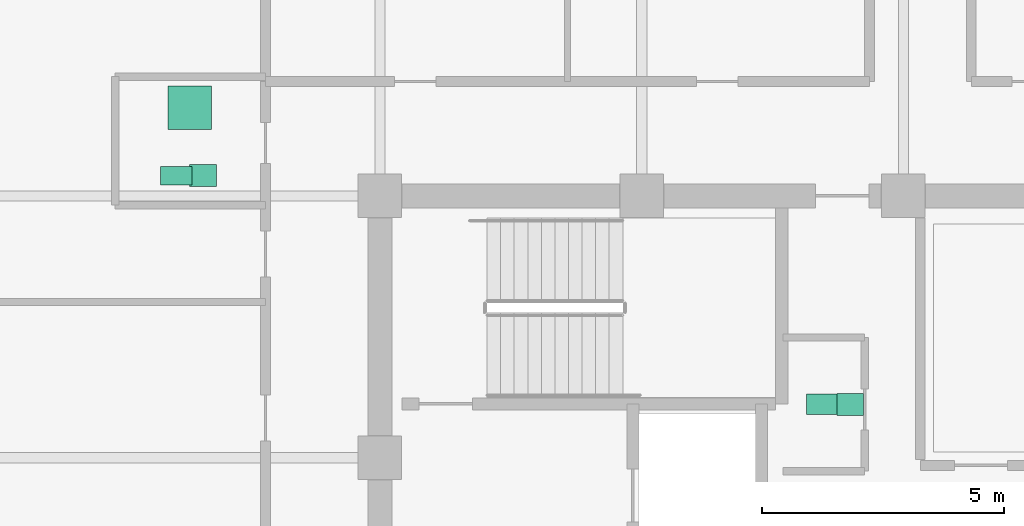
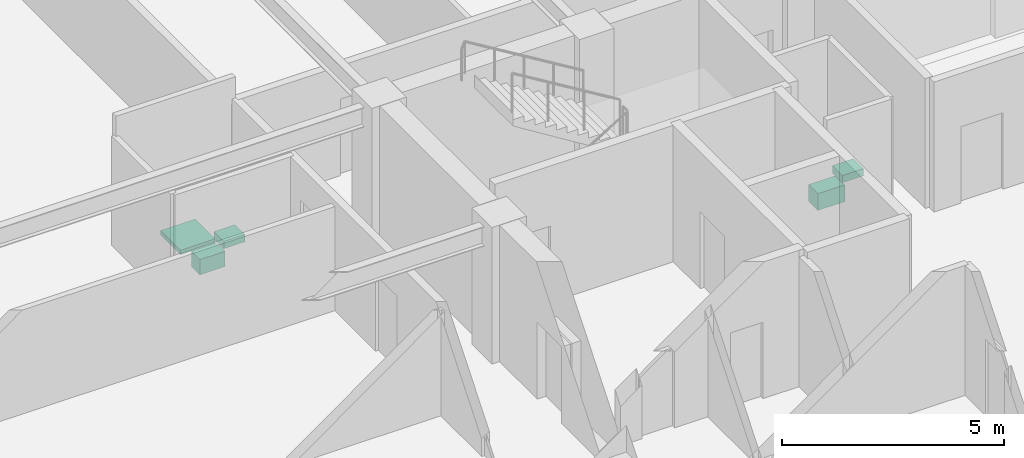
# One storey, part 29 of 29: 5 sanitary terminals.
"""IFC4 building model written with IfcOpenShell, lengths in metres."""

import ifcopenshell
import ifcopenshell.guid

model = None  # the IFC model being written
_history = None  # IfcOwnerHistory: only IFC2X3 demands one
_inside = {}  # id of a spatial element -> (the spatial element, [elements in it])
_under = {}  # id of a project, library or spatial element -> (it, [spatial elements below it])
_declared = {}  # id of a project -> (the project, [libraries it declares])
_typed = {}  # id of a type object -> (the type object, [elements of that type])
_made_of = {}  # id of a material, layer set ... -> (it, [elements and type objects made of it])


def new_model(schema):
    """Start an empty IFC model of exactly this schema.

    Asked for "IFC4X3", IfcOpenShell would pick the latest addendum, in which some entities
    have other attributes; the version numbers below select the first issue.
    IFC2X3 requires an IfcOwnerHistory on every rooted entity: one is made here for all.
    """
    global model, _history
    if schema == "IFC4X3":
        model = ifcopenshell.file(schema_version=(4, 3, 0, 0))
    else:
        model = ifcopenshell.file(schema=schema)
    _inside.clear()
    _under.clear()
    _declared.clear()
    _typed.clear()
    _made_of.clear()
    _history = None
    if model.schema == "IFC2X3":
        org = make("IfcOrganization", Name="unknown")
        user = make(
            "IfcPersonAndOrganization",
            ThePerson=make("IfcPerson", FamilyName="unknown"),
            TheOrganization=org,
        )
        app = make(
            "IfcApplication",
            ApplicationDeveloper=org,
            Version="unknown",
            ApplicationFullName="unknown",
            ApplicationIdentifier="unknown",
        )
        _history = make(
            "IfcOwnerHistory",
            OwningUser=user,
            OwningApplication=app,
            ChangeAction="ADDED",
            CreationDate=0,
        )
    return model


def make(cls, **values):
    """One entity of the class cls with the attributes given. An attribute that is None is left unset."""
    return model.create_entity(
        cls, **{name: value for name, value in values.items() if value is not None}
    )


def rooted(cls, **values):
    """An entity with a GlobalId (a new one), such as an element, a storey or a relation."""
    return make(cls, GlobalId=ifcopenshell.guid.new(), OwnerHistory=_history, **values)


def si_unit(unit_type, name, prefix=None):
    """IfcSIUnit, for example si_unit("LENGTHUNIT", "METRE", prefix="MILLI")."""
    return make("IfcSIUnit", UnitType=unit_type, Prefix=prefix, Name=name)


def assignment(units):
    """IfcUnitAssignment: the units of a project."""
    return None if units is None else make("IfcUnitAssignment", Units=units)


def point(xyz):
    """IfcCartesianPoint."""
    return None if xyz is None else make("IfcCartesianPoint", Coordinates=xyz)


def direction(xyz):
    """IfcDirection."""
    return None if xyz is None else make("IfcDirection", DirectionRatios=xyz)


def frame(location, z_axis=None, x_axis=None):
    """IfcAxis2Placement3D, a coordinate frame: its origin and axes. An axis left out is left unset."""
    return make(
        "IfcAxis2Placement3D",
        Location=point(location),
        Axis=direction(z_axis),
        RefDirection=direction(x_axis),
    )


def frame_2d(location, x_axis=None):
    """IfcAxis2Placement2D, a coordinate frame in the plane: its origin and x axis."""
    return make(
        "IfcAxis2Placement2D", Location=point(location), RefDirection=direction(x_axis)
    )


def origin():
    """The frame at (0, 0, 0) with its axes left unset."""
    return frame((0.0, 0.0, 0.0))


def origin_2d():
    """The frame at (0, 0) in the plane with its x axis left unset."""
    return frame_2d((0.0, 0.0))


def place(relative_to, where):
    """IfcLocalPlacement: puts the frame where relative to a parent placement (None: the world)."""
    return make(
        "IfcLocalPlacement", PlacementRelTo=relative_to, RelativePlacement=where
    )


def context(
    kind, dimensions, precision=None, world=None, true_north=None, identifier=None
):
    """IfcGeometricRepresentationContext, for example the 3D "Model" context."""
    return make(
        "IfcGeometricRepresentationContext",
        ContextIdentifier=identifier,
        ContextType=kind,
        CoordinateSpaceDimension=dimensions,
        Precision=precision,
        WorldCoordinateSystem=world,
        TrueNorth=true_north,
    )


def subcontext(parent, identifier, kind, view, scale=None):
    """IfcGeometricRepresentationSubContext, for example "Body" below "Model"."""
    return make(
        "IfcGeometricRepresentationSubContext",
        ContextIdentifier=identifier,
        ContextType=kind,
        ParentContext=parent,
        TargetScale=scale,
        TargetView=view,
    )


def project(units=None, contexts=None):
    """IfcProject with its units and contexts."""
    return rooted(
        "IfcProject",
        Name="project",
        RepresentationContexts=contexts,
        UnitsInContext=assignment(units),
    )


def spatial(cls, under=None, at=None, **own):
    """A site, building, storey or space (cls), placed at a placement, below another one or the project."""
    s = rooted(cls, ObjectPlacement=at, **own)
    if under is not None:
        _under.setdefault(under.id(), (under, []))[1].append(s)
    return s


def profile(cls, at=None, kind="AREA", **sizes):
    """A parametric profile (cls). Its sizes go by their IFC names, for example OverallWidth=200.0."""
    return make(cls, ProfileType=kind, Position=at, **sizes)


def rectangle(**sizes):
    """IfcRectangleProfileDef."""
    return profile("IfcRectangleProfileDef", **sizes)


def extrude(swept, where, along, depth):
    """IfcExtrudedAreaSolid: the profile swept, set in the frame where, extruded along a direction by depth."""
    return make(
        "IfcExtrudedAreaSolid",
        SweptArea=swept,
        Position=where,
        ExtrudedDirection=direction(along),
        Depth=depth,
    )


def shape(context_of_items, identifier, shape_type, items):
    """IfcShapeRepresentation: the items that make up one representation, for example the "Body"."""
    return make(
        "IfcShapeRepresentation",
        ContextOfItems=context_of_items,
        RepresentationIdentifier=identifier,
        RepresentationType=shape_type,
        Items=items,
    )


def material(Name=None, Category=None):
    """IfcMaterial."""
    return make("IfcMaterial", Name=Name, Category=Category)


def made_of(thing, what):
    """Note that an element or type object is made of a material, layer set ...; save() writes the relation."""
    if what is not None:
        _made_of.setdefault(what.id(), (what, []))[1].append(thing)
    return thing


def type_object(cls, material=None, **own):
    """A type object (cls), such as IfcWallType, which elements share."""
    return made_of(rooted(cls, **own), material)


def element(
    cls,
    number,
    at=None,
    inside=None,
    cuts=None,
    type_object=None,
    material=None,
    context=None,
    identifier="Body",
    shape_type=None,
    held_by="IfcProductDefinitionShape",
    body=None,
    shapes=None,
    **own,
):
    """One element of the class cls, such as IfcWall. Its Tag is "e" and its number.

    at: its placement. inside: the storey or other place that contains it. cuts: it is an
    opening in that element (IfcRelVoidsElement). A single representation is given by context,
    identifier, shape_type and body (its items); several are given by shapes. held_by: the class
    of the entity that holds the representations. save() writes the other relations.
    """
    e = rooted(cls, Tag="e%d" % number, ObjectPlacement=at, **own)
    if body is not None:
        shapes = [shape(context, identifier, shape_type, body)]
    if shapes is not None:
        e.Representation = make(held_by, Representations=shapes)
    if inside is not None:
        _inside.setdefault(inside.id(), (inside, []))[1].append(e)
    if cuts is not None:
        rooted(
            "IfcRelVoidsElement", RelatingBuildingElement=cuts, RelatedOpeningElement=e
        )
    if type_object is not None:
        _typed.setdefault(type_object.id(), (type_object, []))[1].append(e)
    return made_of(e, material)


def aggregate(whole, parts):
    """IfcRelAggregates: a whole, such as a stair, and the parts it consists of."""
    return rooted("IfcRelAggregates", RelatingObject=whole, RelatedObjects=parts)


def save(model, path):
    """Write the relations noted so far, then the file.

    IfcRelAggregates (storeys below a building ...), IfcRelContainedInSpatialStructure (elements
    in a storey), IfcRelDefinesByType, IfcRelAssociatesMaterial and IfcRelDeclares: one each for
    every whole, place, type object, material and project.
    """
    for whole, parts in _under.values():
        aggregate(whole, parts)
    for where, things in _inside.values():
        rooted(
            "IfcRelContainedInSpatialStructure",
            RelatedElements=things,
            RelatingStructure=where,
        )
    for kind, things in _typed.values():
        rooted("IfcRelDefinesByType", RelatedObjects=things, RelatingType=kind)
    for what, things in _made_of.values():
        rooted("IfcRelAssociatesMaterial", RelatedObjects=things, RelatingMaterial=what)
    for by, libraries in _declared.values():
        rooted("IfcRelDeclares", RelatingContext=by, RelatedDefinitions=libraries)
    model.write(path)


model = new_model("IFC4")

# Units and contexts
model_context = context("Model", 3, precision=1e-05, world=origin(), true_north=direction((0.0, 1.0)))
body_context = subcontext(model_context, "Body", "Model", "MODEL_VIEW")
ifc_project = project(units=[si_unit("LENGTHUNIT", "METRE"), si_unit("AREAUNIT", "SQUARE_METRE"), si_unit("VOLUMEUNIT", "CUBIC_METRE"), si_unit("PLANEANGLEUNIT", "RADIAN"), si_unit("MASSUNIT", "GRAM", prefix="KILO")], contexts=[model_context])

# Site, building, storey
site_placement = place(None, origin())
site = spatial("IfcSite", under=ifc_project, at=site_placement, CompositionType="ELEMENT")
building_placement = place(site_placement, origin())
building = spatial("IfcBuilding", under=site, at=building_placement, Name="Surkhivell Harbour Commons", CompositionType="ELEMENT")
storey_placement = place(building_placement, frame((0.0, 0.0, 326.25)))
storey = spatial("IfcBuildingStorey", under=building, at=storey_placement, Name="L85", CompositionType="ELEMENT", Elevation=326.25)

# Sanitary terminals
ifc_material_1 = material(Name="Vitreous china washbasin", Category="other")
sanitary_terminal_type_1 = type_object("IfcSanitaryTerminalType", Name="SAN-BSN", PredefinedType="WASHHANDBASIN", material=ifc_material_1)
for number, where, z_axis, x_axis, name in (
    (1, (-1.10009765625, 6.5, 0.72021484375), (0.0, 0.0, 1.0), (1.0, 0.0, 0.0), "L85 Core Accessible WC Washbasin"),
    (2, (-14.449951171875, 11.219970703125, 0.72021484375), (0.0, 0.0, 1.0), (1.0, 0.0, 0.0), "L85 West Communal Bathroom WC Washbasin"),
):
    element("IfcSanitaryTerminal", number, at=place(storey_placement, frame(where, z_axis=z_axis, x_axis=x_axis)), inside=storey, type_object=sanitary_terminal_type_1, Name=name, PredefinedType="WASHHANDBASIN", context=body_context, shape_type="SweptSolid", body=[
        extrude(rectangle(XDim=0.550048828125, YDim=0.449951171875, at=origin_2d()), origin(), (0.0, 0.0, 1.0), 0.199951171875),
    ])
ifc_material_2 = material(Name="Glazed porcelain shower tray", Category="other")
sanitary_terminal_type_2 = type_object("IfcSanitaryTerminalType", Name="SAN-SHW", PredefinedType="SHOWER", material=ifc_material_2)
sanitary_terminal_1_placement = place(storey_placement, frame((-14.719970703125, 12.6201171875, 0.0), z_axis=(0.0, 0.0, 1.0), x_axis=(1.0, 0.0, 0.0)))
element("IfcSanitaryTerminal", 3, at=sanitary_terminal_1_placement, inside=storey, type_object=sanitary_terminal_type_2, Name="L85 West Communal Shower Tray", PredefinedType="SHOWER", context=body_context, shape_type="SweptSolid", body=[
    extrude(rectangle(XDim=0.89990234375, YDim=0.89990234375, at=origin_2d()), origin(), (0.0, 0.0, 1.0), 0.1201171875),
])
ifc_material_3 = material(Name="Vitreous china sanitaryware", Category="other")
sanitary_terminal_type_3 = type_object("IfcSanitaryTerminalType", Name="SAN-WC-ACC", PredefinedType="TOILETPAN", material=ifc_material_3)
sanitary_terminal_2_placement = place(storey_placement, frame((-1.64990234375, 6.5, 0.169921875), z_axis=(0.0, 0.0, 1.0), x_axis=(1.0, 0.0, 0.0)))
element("IfcSanitaryTerminal", 4, at=sanitary_terminal_2_placement, inside=storey, type_object=sanitary_terminal_type_3, Name="L85 Core Accessible WC", PredefinedType="TOILETPAN", context=body_context, shape_type="SweptSolid", body=[
    extrude(rectangle(XDim=0.699951171875, YDim=0.419921875, at=origin_2d()), origin(), (0.0, 0.0, 1.0), 0.4599609375),
])
sanitary_terminal_type_4 = type_object("IfcSanitaryTerminalType", Name="SAN-WC-STD", PredefinedType="TOILETPAN", material=ifc_material_3)
sanitary_terminal_3_placement = place(storey_placement, frame((-15.0, 11.219970703125, 0.18994140625), z_axis=(0.0, 0.0, 1.0), x_axis=(1.0, 0.0, 0.0)))
element("IfcSanitaryTerminal", 5, at=sanitary_terminal_3_placement, inside=storey, type_object=sanitary_terminal_type_4, Name="L85 West Communal Bathroom WC", PredefinedType="TOILETPAN", context=body_context, shape_type="SweptSolid", body=[
    extrude(rectangle(XDim=0.64990234375, YDim=0.3798828125, at=origin_2d()), origin(), (0.0, 0.0, 1.0), 0.419921875),
])

save(model, "model.ifc")
